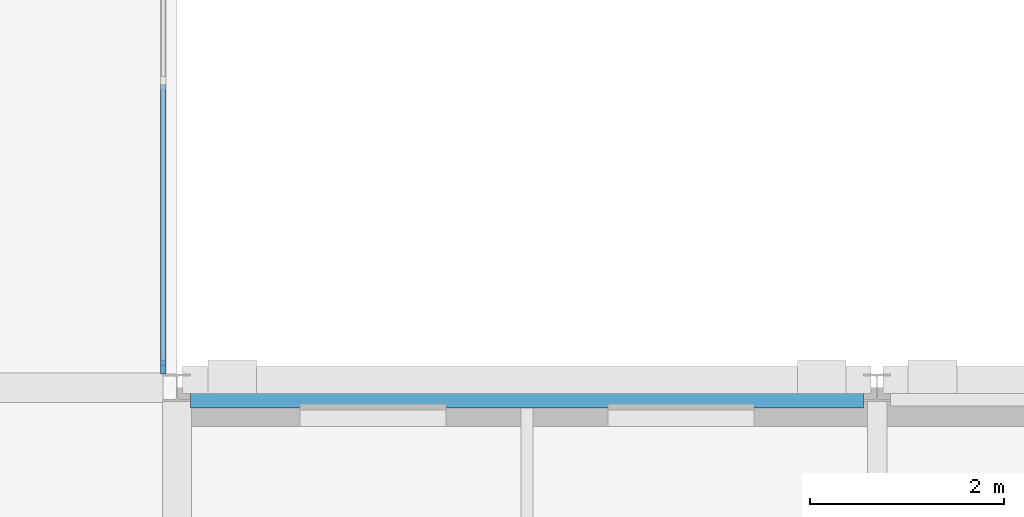
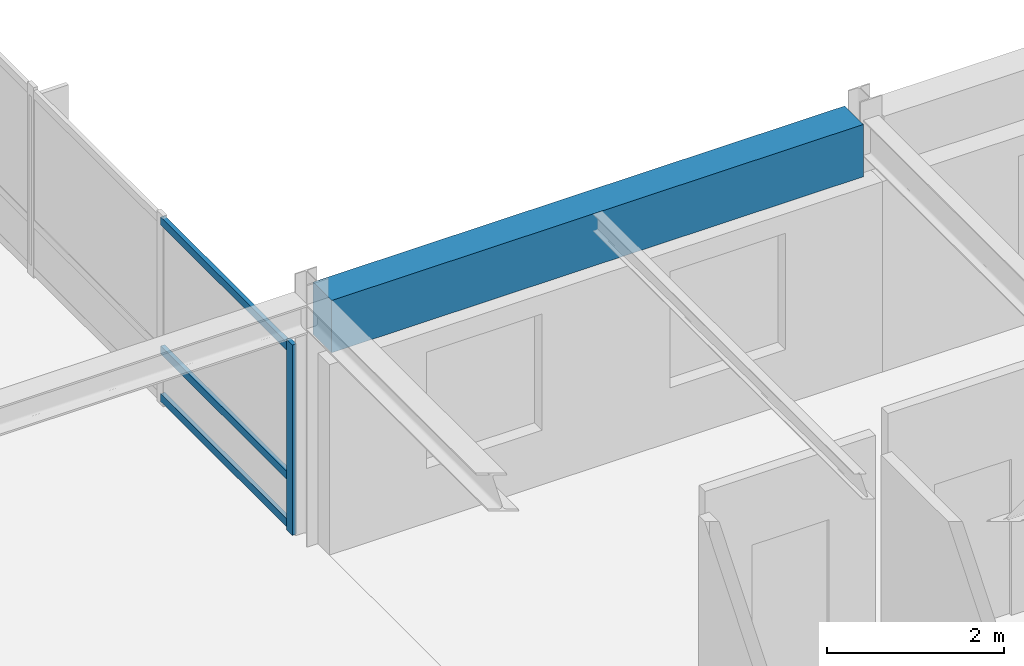
# One storey, part 16 of 74: 4 members, 1 beam, 1 element without a shape of its own.
"""IFC4 building model written with IfcOpenShell, lengths in metres."""

from ifc_helpers import new_model, si_unit, direction, frame, origin, origin_2d, place, context, subcontext, project, spatial, rectangle, extrude, material, material_profile, profile_set, type_object, element, aggregate, save


model = new_model("IFC4")

# Units and contexts
model_context = context("Model", 3, precision=1e-05, world=origin(), true_north=direction((0.0, 1.0)))
body_context = subcontext(model_context, "Body", "Model", "MODEL_VIEW")
ifc_project = project(units=[si_unit("LENGTHUNIT", "METRE"), si_unit("AREAUNIT", "SQUARE_METRE"), si_unit("VOLUMEUNIT", "CUBIC_METRE"), si_unit("PLANEANGLEUNIT", "RADIAN"), si_unit("MASSUNIT", "GRAM", prefix="KILO")], contexts=[model_context])

# Site, building, storey
site_placement = place(None, origin())
site = spatial("IfcSite", under=ifc_project, at=site_placement, CompositionType="ELEMENT")
building_placement = place(site_placement, origin())
building = spatial("IfcBuilding", under=site, at=building_placement, Name="Clarverna Civic Hall", CompositionType="ELEMENT")
storey_placement = place(building_placement, frame((0.0, 0.0, 13.199951171875)))
storey = spatial("IfcBuildingStorey", under=building, at=storey_placement, Name="L03", CompositionType="ELEMENT", Elevation=13.199951171875)

# Beam
ifc_material_1 = material(Name="Concrete C35/45", Category="concrete")
ifc_material_profile_1 = material_profile(ifc_material_1, rectangle(XDim=0.419921875, YDim=0.719970703125, at=origin_2d()), Name="RC 420x720")
ifc_profile_set_1 = profile_set([ifc_material_profile_1], Name="Concrete C35/45")
beam_type = type_object("IfcBeamType", Name="B-SP1", PredefinedType="SPANDREL", material=ifc_profile_set_1)
beam_placement = place(storey_placement, frame((25.340087890625, 14.0, 2.97998046875), z_axis=(1.0, 0.0, 0.0), x_axis=(0.0, 1.0, 0.0)))
element("IfcBeam", 1, at=beam_placement, inside=storey, type_object=beam_type, Name="B-SP1-108", PredefinedType="SPANDREL", context=body_context, shape_type="SweptSolid", body=[
    extrude(rectangle(XDim=0.419921875, YDim=0.719970703125, at=origin_2d()), origin(), (0.0, 0.0, 1.0), 6.919921875),
])

# Curtain wall, members
ifc_material_2 = material(Name="Anodised Bronze Architectural Aluminium", Category="aluminium")
curtain_wall_type = type_object("IfcCurtainWallType", Name="CW-05", PredefinedType="USERDEFINED", material=ifc_material_2)
curtain_wall_placement = place(storey_placement, origin())
curtain_wall = element("IfcCurtainWall", 2, at=curtain_wall_placement, inside=storey, type_object=curtain_wall_type, Name="CW-05-020", ObjectType="UNITISED CURTAIN WALL", PredefinedType="USERDEFINED")
ifc_material_profile_2 = material_profile(ifc_material_2, rectangle(XDim=0.054931640625, YDim=0.139892578125, at=origin_2d()), Name="BRONZE 55x140")
ifc_profile_set_2 = profile_set([ifc_material_profile_2], Name="Anodised Bronze Architectural Aluminium")
member_type_1 = type_object("IfcMemberType", Name="CWM-04", PredefinedType="MULLION", material=ifc_profile_set_2)
member_1_placement = place(storey_placement, frame((25.06005859375, 14.212890625, 0.0), z_axis=(0.0, 0.0, 1.0), x_axis=(1.0, 0.0, 0.0)))
member_1 = element("IfcMember", 3, at=member_1_placement, type_object=member_type_1, Name="CWM-04-191", PredefinedType="MULLION", context=body_context, shape_type="SweptSolid", body=[
    extrude(rectangle(XDim=0.054931640625, YDim=0.139892578125, at=origin_2d()), origin(), (0.0, 0.0, 1.0), 2.6201171875),
])
ifc_material_profile_3 = material_profile(ifc_material_2, rectangle(XDim=0.054931640625, YDim=0.110107421875, at=origin_2d()), Name="BRONZE 55x110")
ifc_profile_set_3 = profile_set([ifc_material_profile_3], Name="Anodised Bronze Architectural Aluminium")
member_type_2 = type_object("IfcMemberType", Name="CWT-04", PredefinedType="USERDEFINED", material=ifc_profile_set_3)
member_2_placement = place(storey_placement, frame((25.06005859375, 17.115966796875, 0.094970703125), z_axis=(0.0, -1.0, 0.0), x_axis=(1.0, 0.0, 0.0)))
member_2 = element("IfcMember", 4, at=member_2_placement, type_object=member_type_2, Name="CWT-04-403", ObjectType="TRANSOM", PredefinedType="USERDEFINED", context=body_context, shape_type="SweptSolid", body=[
    extrude(rectangle(XDim=0.054931640625, YDim=0.110107421875, at=origin_2d()), origin(), (0.0, 0.0, 1.0), 2.887939453125),
])
member_3_placement = place(storey_placement, frame((25.06005859375, 17.115966796875, 0.75), z_axis=(0.0, -1.0, 0.0), x_axis=(1.0, 0.0, 0.0)))
member_3 = element("IfcMember", 5, at=member_3_placement, type_object=member_type_2, Name="CWT-04-404", ObjectType="TRANSOM", PredefinedType="USERDEFINED", context=body_context, shape_type="SweptSolid", body=[
    extrude(rectangle(XDim=0.054931640625, YDim=0.110107421875, at=origin_2d()), origin(), (0.0, 0.0, 1.0), 2.887939453125),
])
member_4_placement = place(storey_placement, frame((25.06005859375, 17.115966796875, 2.525146484375), z_axis=(0.0, -1.0, 0.0), x_axis=(1.0, 0.0, 0.0)))
member_4 = element("IfcMember", 6, at=member_4_placement, type_object=member_type_2, Name="CWT-04-405", ObjectType="TRANSOM", PredefinedType="USERDEFINED", context=body_context, shape_type="SweptSolid", body=[
    extrude(rectangle(XDim=0.054931640625, YDim=0.110107421875, at=origin_2d()), origin(), (0.0, 0.0, 1.0), 2.887939453125),
])
aggregate(curtain_wall, [member_1, member_2, member_3, member_4])

save(model, "model.ifc")
